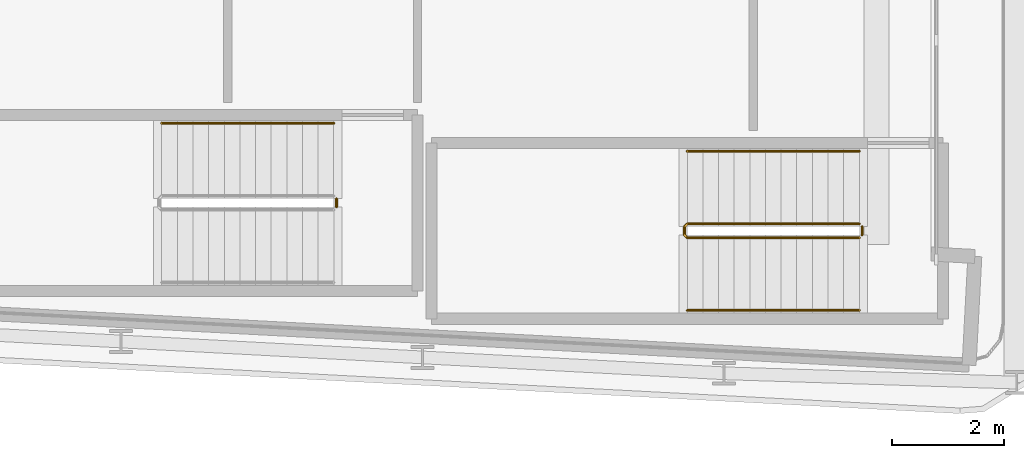
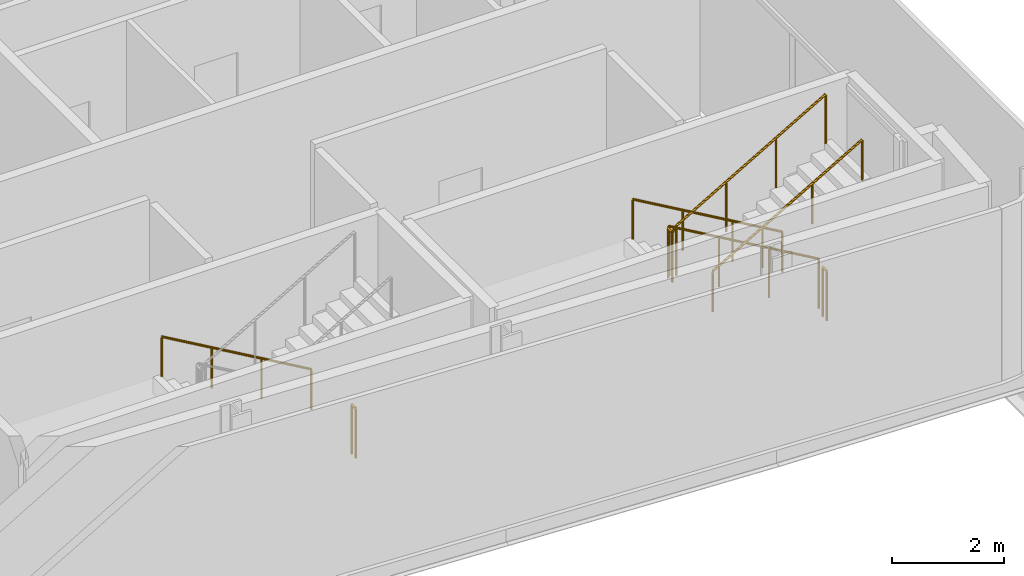
# One storey, part 23 of 26: 6 railings.
"""IFC4 building model written with IfcOpenShell, lengths in metres."""

from ifc_helpers import new_model, si_unit, direction, frame, origin, origin_2d, place, context, subcontext, project, spatial, circle, extrude, material, type_object, element, save


model = new_model("IFC4")

# Units and contexts
model_context = context("Model", 3, precision=1e-05, world=origin(), true_north=direction((0.0, 1.0)))
body_context = subcontext(model_context, "Body", "Model", "MODEL_VIEW")
ifc_project = project(units=[si_unit("LENGTHUNIT", "METRE"), si_unit("AREAUNIT", "SQUARE_METRE"), si_unit("VOLUMEUNIT", "CUBIC_METRE"), si_unit("PLANEANGLEUNIT", "RADIAN"), si_unit("MASSUNIT", "GRAM", prefix="KILO")], contexts=[model_context])

# Site, building, storey
site_placement = place(None, origin())
site = spatial("IfcSite", under=ifc_project, at=site_placement, CompositionType="ELEMENT")
building_placement = place(site_placement, origin())
building = spatial("IfcBuilding", under=site, at=building_placement, Name="Kheshtan School and Residences Tower", CompositionType="ELEMENT")
storey_placement = place(building_placement, frame((0.0, 0.0, 156.5)))
storey = spatial("IfcBuildingStorey", under=building, at=storey_placement, Name="L36", CompositionType="ELEMENT", Elevation=156.5)

# Railings
ifc_material_1 = material(Name="Stainless steel balustrade", Category="steel")
railing_type_1 = type_object("IfcRailingType", Name="Stair guard 1100", PredefinedType="GUARDRAIL", material=ifc_material_1)
railing_1_placement = place(storey_placement, frame((87.820068359375, 23.949951171875, 0.16259765625)))
element("IfcRailing", 1, at=railing_1_placement, inside=storey, type_object=railing_type_1, Name="L36 ST4 stair guard 1", PredefinedType="GUARDRAIL", context=body_context, shape_type="SweptSolid", body=[
    extrude(circle(Radius=0.02392578125, at=origin_2d()), frame((0.0, 0.0, 1.076171875), z_axis=(-0.864920483161, 0.0, 0.501908913857), x_axis=(0.0, -1.0, 0.0)), (0.0, 0.0, 1.0), 3.56103515625),
    extrude(circle(Radius=0.02392578125, at=origin_2d()), frame((-3.080078125, 0.0, 2.86328125), z_axis=(-0.707106781187, -0.707106781187, 0.0), x_axis=(0.707106781187, -0.707106781187, 0.0)), (0.0, 0.0, 1.0), 0.07080078125),
    extrude(circle(Radius=0.02392578125, at=origin_2d()), frame((-3.130126953125, -0.050048828125, 2.86328125), z_axis=(0.0, -1.0, 0.0), x_axis=(1.0, 0.0, 0.0)), (0.0, 0.0, 1.0), 0.14990234375),
    extrude(circle(Radius=0.02392578125, at=origin_2d()), frame((-3.130126953125, -0.199951171875, 2.86328125), z_axis=(0.282227285176, -0.282227285176, 0.916894497205), x_axis=(0.707106781187, 0.707106781187, 0.0)), (0.0, 0.0, 1.0), 0.17724609375),
    extrude(circle(Radius=0.02392578125, at=origin_2d()), frame((-3.080078125, -0.25, 3.02587890625), z_axis=(0.864920483161, 0.0, 0.501908913857), x_axis=(0.0, 1.0, 0.0)), (0.0, 0.0, 1.0), 3.56103515625),
    extrude(circle(Radius=0.02099609375, at=origin_2d()), origin(), (0.0, 0.0, 1.0), 1.052001953125),
    extrude(circle(Radius=0.02099609375, at=origin_2d()), frame((-1.026611328125, 0.0, 0.595703125)), (0.0, 0.0, 1.0), 1.052001953125),
    extrude(circle(Radius=0.02099609375, at=origin_2d()), frame((-2.053466796875, 0.0, 1.191650390625)), (0.0, 0.0, 1.0), 1.052001953125),
    extrude(circle(Radius=0.02099609375, at=origin_2d()), frame((-3.080078125, 0.0, 1.787353515625)), (0.0, 0.0, 1.0), 1.052001953125),
    extrude(circle(Radius=0.02099609375, at=origin_2d()), frame((-3.130126953125, -0.050048828125, 1.787353515625)), (0.0, 0.0, 1.0), 1.052001953125),
    extrude(circle(Radius=0.02099609375, at=origin_2d()), frame((-3.130126953125, -0.199951171875, 1.787353515625)), (0.0, 0.0, 1.0), 1.052001953125),
    extrude(circle(Radius=0.02099609375, at=origin_2d()), frame((-3.080078125, -0.25, 1.949951171875)), (0.0, 0.0, 1.0), 1.052001953125),
    extrude(circle(Radius=0.02099609375, at=origin_2d()), frame((-2.053466796875, -0.25, 2.545654296875)), (0.0, 0.0, 1.0), 1.052001953125),
    extrude(circle(Radius=0.02099609375, at=origin_2d()), frame((-1.026611328125, -0.25, 3.1416015625)), (0.0, 0.0, 1.0), 1.052001953125),
    extrude(circle(Radius=0.02099609375, at=origin_2d()), frame((0.0, -0.25, 3.7373046875)), (0.0, 0.0, 1.0), 1.052001953125),
])
for number, where, name in (
    (2, (87.8701171875, 23.89990234375, 0.0), "L36 ST4 stair guard 2"),
    (3, (78.4599609375, 24.39990234375, 0.0), "L36 ST5 stair guard 2"),
):
    element("IfcRailing", number, at=place(storey_placement, frame(where)), inside=storey, type_object=railing_type_1, Name=name, PredefinedType="GUARDRAIL", context=body_context, shape_type="SweptSolid", body=[
        extrude(circle(Radius=0.02392578125, at=origin_2d()), frame((0.0, 0.0, 1.076171875), z_axis=(0.0, -1.0, 0.0), x_axis=(1.0, 0.0, 0.0)), (0.0, 0.0, 1.0), 0.14990234375),
        extrude(circle(Radius=0.02099609375, at=origin_2d()), origin(), (0.0, 0.0, 1.0), 1.052001953125),
        extrude(circle(Radius=0.02099609375, at=origin_2d()), frame((0.0, -0.14990234375, 0.0)), (0.0, 0.0, 1.0), 1.052001953125),
    ])
ifc_material_2 = material(Name="Stainless steel handrail", Category="steel")
railing_type_2 = type_object("IfcRailingType", Name="Stair handrail 900", PredefinedType="HANDRAIL", material=ifc_material_2)
railing_2_placement = place(storey_placement, frame((87.820068359375, 25.25, 0.16259765625)))
element("IfcRailing", 4, at=railing_2_placement, inside=storey, type_object=railing_type_2, Name="L36 ST4 stair handrail 1", PredefinedType="HANDRAIL", context=body_context, shape_type="SweptSolid", body=[
    extrude(circle(Radius=0.02392578125, at=origin_2d()), frame((0.0, 0.0, 0.8759765625), z_axis=(-0.864920483161, 0.0, 0.501908913857), x_axis=(0.0, -1.0, 0.0)), (0.0, 0.0, 1.0), 3.56103515625),
    extrude(circle(Radius=0.02099609375, at=origin_2d()), origin(), (0.0, 0.0, 1.0), 0.851806640625),
    extrude(circle(Radius=0.02099609375, at=origin_2d()), frame((-1.026611328125, 0.0, 0.595703125)), (0.0, 0.0, 1.0), 0.851806640625),
    extrude(circle(Radius=0.02099609375, at=origin_2d()), frame((-2.053466796875, 0.0, 1.191650390625)), (0.0, 0.0, 1.0), 0.851806640625),
    extrude(circle(Radius=0.02099609375, at=origin_2d()), frame((-3.080078125, 0.0, 1.787353515625)), (0.0, 0.0, 1.0), 0.851806640625),
])
railing_3_placement = place(storey_placement, frame((84.739990234375, 22.39990234375, 2.112548828125)))
element("IfcRailing", 5, at=railing_3_placement, inside=storey, type_object=railing_type_2, Name="L36 ST4 stair handrail 2", PredefinedType="HANDRAIL", context=body_context, shape_type="SweptSolid", body=[
    extrude(circle(Radius=0.02392578125, at=origin_2d()), frame((0.0, 0.0, 0.8759765625), z_axis=(0.864920483161, 0.0, 0.501908913857), x_axis=(0.0, 1.0, 0.0)), (0.0, 0.0, 1.0), 3.56103515625),
    extrude(circle(Radius=0.02099609375, at=origin_2d()), origin(), (0.0, 0.0, 1.0), 0.851806640625),
    extrude(circle(Radius=0.02099609375, at=origin_2d()), frame((1.026611328125, 0.0, 0.595703125)), (0.0, 0.0, 1.0), 0.851806640625),
    extrude(circle(Radius=0.02099609375, at=origin_2d()), frame((2.053466796875, 0.0, 1.191650390625)), (0.0, 0.0, 1.0), 0.851806640625),
    extrude(circle(Radius=0.02099609375, at=origin_2d()), frame((3.080078125, 0.0, 1.787353515625)), (0.0, 0.0, 1.0), 0.851806640625),
])
railing_4_placement = place(storey_placement, frame((78.409912109375, 25.75, 0.16259765625)))
element("IfcRailing", 6, at=railing_4_placement, inside=storey, type_object=railing_type_2, Name="L36 ST5 stair handrail 1", PredefinedType="HANDRAIL", context=body_context, shape_type="SweptSolid", body=[
    extrude(circle(Radius=0.02392578125, at=origin_2d()), frame((0.0, 0.0, 0.8759765625), z_axis=(-0.864903211148, 0.0, 0.501938676878), x_axis=(0.0, -1.0, 0.0)), (0.0, 0.0, 1.0), 3.560791015625),
    extrude(circle(Radius=0.02099609375, at=origin_2d()), origin(), (0.0, 0.0, 1.0), 0.851806640625),
    extrude(circle(Radius=0.02099609375, at=origin_2d()), frame((-1.026611328125, 0.0, 0.595703125)), (0.0, 0.0, 1.0), 0.851806640625),
    extrude(circle(Radius=0.02099609375, at=origin_2d()), frame((-2.05322265625, 0.0, 1.191650390625)), (0.0, 0.0, 1.0), 0.851806640625),
    extrude(circle(Radius=0.02099609375, at=origin_2d()), frame((-3.079833984375, 0.0, 1.787353515625)), (0.0, 0.0, 1.0), 0.851806640625),
])

save(model, "model.ifc")
